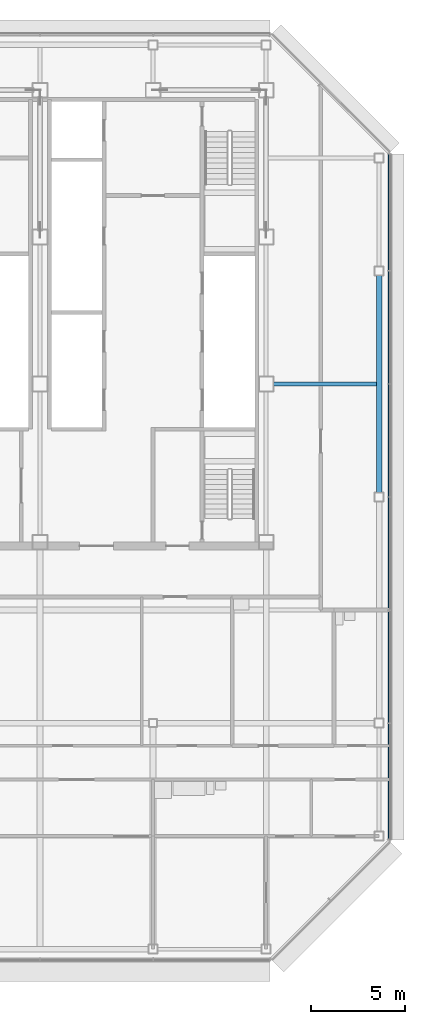
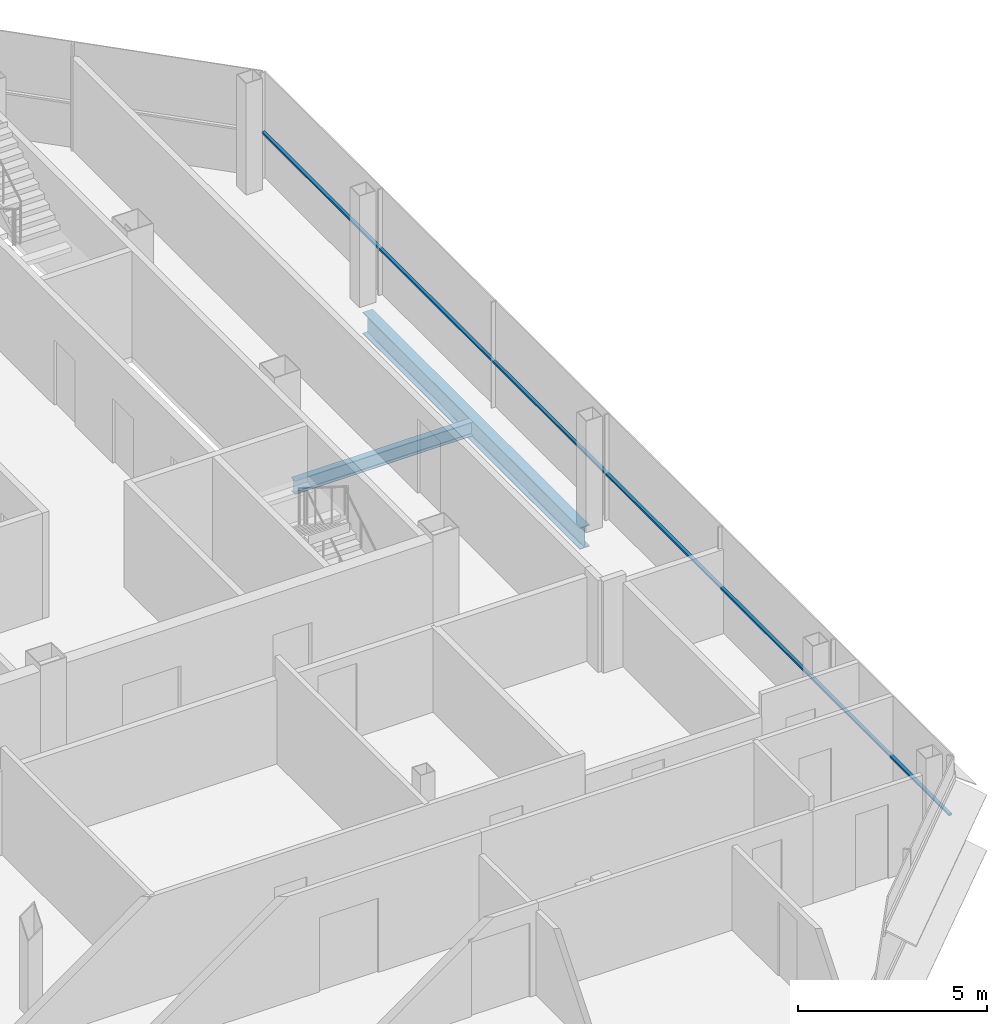
# One storey, part 18 of 27: 2 beams, 1 member, 1 element without a shape of its own.
"""IFC4 building model written with IfcOpenShell, lengths in metres."""

from ifc_helpers import new_model, si_unit, direction, frame, origin, origin_2d, place, context, subcontext, project, spatial, rectangle, i_section, extrude, material, material_profile, profile_set, type_object, element, aggregate, save


model = new_model("IFC4")

# Units and contexts
model_context = context("Model", 3, precision=1e-05, world=origin(), true_north=direction((0.0, 1.0)))
body_context = subcontext(model_context, "Body", "Model", "MODEL_VIEW")
ifc_project = project(units=[si_unit("LENGTHUNIT", "METRE"), si_unit("AREAUNIT", "SQUARE_METRE"), si_unit("VOLUMEUNIT", "CUBIC_METRE"), si_unit("PLANEANGLEUNIT", "RADIAN"), si_unit("MASSUNIT", "GRAM", prefix="KILO")], contexts=[model_context])

# Site, building, storey
site_placement = place(None, origin())
site = spatial("IfcSite", under=ifc_project, at=site_placement, CompositionType="ELEMENT")
building_placement = place(site_placement, origin())
building = spatial("IfcBuilding", under=site, at=building_placement, Name="Sorahane Residences", CompositionType="ELEMENT")
storey_placement = place(building_placement, frame((0.0, 0.0, 312.39990234375)))
storey = spatial("IfcBuildingStorey", under=building, at=storey_placement, Name="L74", CompositionType="ELEMENT", Elevation=312.39990234375)

# Curtain wall, member
ifc_material_1 = material(Name="Dark low-e glass and black anodised aluminium", Category="aluminium")
curtain_wall_type = type_object("IfcCurtainWallType", Name="Curtain wall CW-1 Typical unitised wall", PredefinedType="NOTDEFINED", material=ifc_material_1)
curtain_wall_placement = place(storey_placement, origin())
curtain_wall = element("IfcCurtainWall", 1, at=curtain_wall_placement, inside=storey, type_object=curtain_wall_type, Name="CW-1 curtain wall L74 E1", PredefinedType="NOTDEFINED")
ifc_material_2 = material(Name="Black anodised aluminium", Category="aluminium")
ifc_material_profile_1 = material_profile(ifc_material_2, rectangle(XDim=0.10009765625, YDim=0.06005859375, at=origin_2d()), Name="Curtain wall transom CW-1 black anodised aluminium 60x100")
ifc_profile_set_1 = profile_set([ifc_material_profile_1], Name="Black anodised aluminium")
member_type = type_object("IfcMemberType", Name="Curtain wall transom CW-1 black anodised aluminium 60x100", PredefinedType="USERDEFINED", material=ifc_profile_set_1)
member_placement = place(storey_placement, frame((48.530029296875, 5.801513671875, 1.5), z_axis=(0.0, 1.0, 0.0), x_axis=(-1.0, 0.0, 0.0)))
member = element("IfcMember", 2, at=member_placement, type_object=member_type, Name="CW-1 transom L74 E1", ObjectType="TRANSOM", PredefinedType="USERDEFINED", context=body_context, shape_type="SweptSolid", body=[
    extrude(rectangle(XDim=0.10009765625, YDim=0.06005859375, at=origin_2d()), origin(), (0.0, 0.0, 1.0), 36.39697265625),
])
aggregate(curtain_wall, [member])

# Beams
ifc_material_3 = material(Name="Steel Q355B", Category="steel")
ifc_material_profile_2 = material_profile(ifc_material_3, i_section(OverallWidth=0.199951171875, OverallDepth=0.449951171875, WebThickness=0.009033203125, FlangeThickness=0.013916015625, FilletRadius=0.02001953125, at=origin_2d()), Name="HN 450x200x9x14")
ifc_profile_set_2 = profile_set([ifc_material_profile_2], Name="Steel Q355B")
beam_type_1 = type_object("IfcBeamType", Name="Steel floor beam HN 450x200x9x14 Q355B", PredefinedType="BEAM", material=ifc_profile_set_2)
beam_1_placement = place(storey_placement, frame((42.39990234375, 30.0, -0.40478515625), z_axis=(1.0, 0.0, 0.0), x_axis=(0.0, 1.0, 0.0)))
element("IfcBeam", 3, at=beam_1_placement, inside=storey, type_object=beam_type_1, Name="Beam L74 086", PredefinedType="BEAM", context=body_context, shape_type="SweptSolid", body=[
    extrude(i_section(OverallWidth=0.199951171875, OverallDepth=0.449951171875, WebThickness=0.009033203125, FlangeThickness=0.013916015625, FilletRadius=0.02001953125, at=origin_2d()), origin(), (0.0, 0.0, 1.0), 5.4501953125),
])
ifc_material_4 = material(Name="Steel Q355B", Category="steel")
ifc_material_profile_3 = material_profile(ifc_material_4, i_section(OverallWidth=0.300048828125, OverallDepth=0.699951171875, WebThickness=0.012939453125, FlangeThickness=0.02392578125, FilletRadius=0.028076171875, at=origin_2d()), Name="HN 700x300x13x24")
ifc_profile_set_3 = profile_set([ifc_material_profile_3], Name="Steel Q355B")
beam_type_2 = type_object("IfcBeamType", Name="Steel floor beam HN 700x300x13x24 Q355B", PredefinedType="BEAM", material=ifc_profile_set_3)
beam_2_placement = place(storey_placement, frame((48.0, 24.25, -0.52978515625), z_axis=(0.0, 1.0, 0.0), x_axis=(-1.0, 0.0, 0.0)))
element("IfcBeam", 4, at=beam_2_placement, inside=storey, type_object=beam_type_2, Name="Beam L74 064", PredefinedType="BEAM", context=body_context, shape_type="SweptSolid", body=[
    extrude(i_section(OverallWidth=0.300048828125, OverallDepth=0.699951171875, WebThickness=0.012939453125, FlangeThickness=0.02392578125, FilletRadius=0.028076171875, at=origin_2d()), origin(), (0.0, 0.0, 1.0), 11.5),
])

save(model, "model.ifc")
